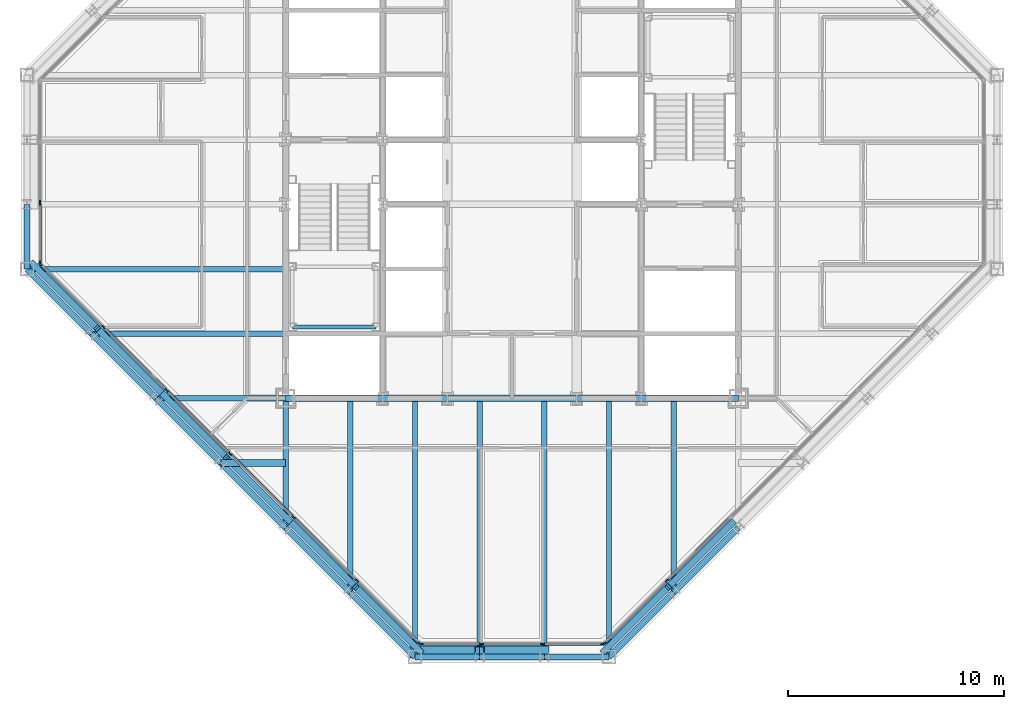
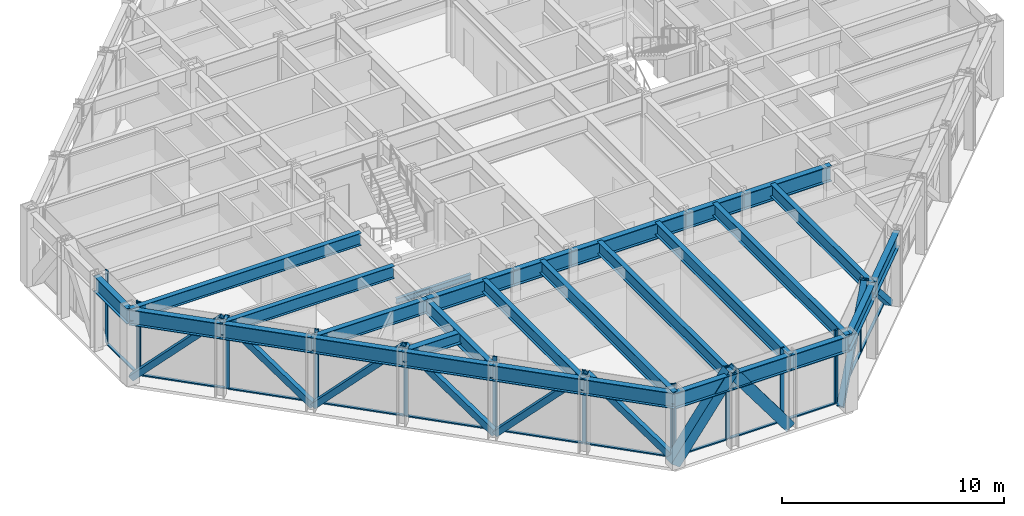
# One storey, part 5 of 15: 37 members, 29 beams, 4 elements without a shape of their own.
"""IFC4 building model written with IfcOpenShell, lengths in metres."""

from ifc_helpers import new_model, si_unit, direction, frame, origin, origin_2d, place, context, subcontext, project, spatial, rectangle, hollow_rectangle, i_section, extrude, material, layer, layer_set, material_profile, profile_set, type_object, element, aggregate, save


model = new_model("IFC4")

# Units and contexts
model_context = context("Model", 3, precision=1e-05, world=origin(), true_north=direction((0.0, 1.0)))
body_context = subcontext(model_context, "Body", "Model", "MODEL_VIEW")
ifc_project = project(units=[si_unit("LENGTHUNIT", "METRE"), si_unit("AREAUNIT", "SQUARE_METRE"), si_unit("VOLUMEUNIT", "CUBIC_METRE"), si_unit("PLANEANGLEUNIT", "RADIAN"), si_unit("MASSUNIT", "GRAM", prefix="KILO")], contexts=[model_context])

# Site, building, storey
site_placement = place(None, origin())
site = spatial("IfcSite", under=ifc_project, at=site_placement, CompositionType="ELEMENT")
building_placement = place(site_placement, origin())
building = spatial("IfcBuilding", under=site, at=building_placement, Name="Chuquiago Exchange Tower", CompositionType="ELEMENT")
storey_placement = place(building_placement, frame((0.0, 0.0, 266.39990234375)))
storey = spatial("IfcBuildingStorey", under=building, at=storey_placement, Name="L59", CompositionType="ELEMENT", Elevation=266.39990234375)

# Beams
ifc_material_1 = material(Name="Steel ASTM A992", Category="steel")
ifc_material_profile_1 = material_profile(ifc_material_1, i_section(OverallWidth=0.25390625, OverallDepth=0.683349609375, WebThickness=0.012451171875, FlangeThickness=0.018798828125, at=origin_2d()), Name="W27X94")
ifc_profile_set_1 = profile_set([ifc_material_profile_1], Name="Steel ASTM A992")
beam_type_1 = type_object("IfcBeamType", Name="B1 W27X94", PredefinedType="BEAM", material=ifc_profile_set_1)
beam_1_placement = place(storey_placement, frame((15.0, 12.0, 3.698486328125), z_axis=(0.0, -1.0, 0.0), x_axis=(1.0, 0.0, 0.0)))
element("IfcBeam", 1, at=beam_1_placement, inside=storey, type_object=beam_type_1, Name="FB-L60-infill-15_12-15_3-0", PredefinedType="BEAM", context=body_context, shape_type="SweptSolid", body=[
    extrude(i_section(OverallWidth=0.25390625, OverallDepth=0.683349609375, WebThickness=0.012451171875, FlangeThickness=0.018798828125, at=origin_2d()), origin(), (0.0, 0.0, 1.0), 9.0),
])
for number, where, z_axis, x_axis, name in (
    (2, (18.0, 12.0, 3.698486328125), (0.0, -1.0, 0.0), (1.0, 0.0, 0.0), "FB-L60-infill-18_12-18_-0-0"),
    (3, (21.0, 12.0, 3.698486328125), (0.0, -1.0, 0.0), (1.0, 0.0, 0.0), "FB-L60-infill-21_12-21_-0-0"),
    (4, (24.0, 12.0, 3.698486328125), (0.0, -1.0, 0.0), (1.0, 0.0, 0.0), "FB-L60-infill-24_12-24_-0-0"),
    (5, (27.0, 12.0, 3.698486328125), (0.0, -1.0, 0.0), (1.0, 0.0, 0.0), "FB-L60-infill-27_12-27_-0-0"),
):
    element("IfcBeam", number, at=place(storey_placement, frame(where, z_axis=z_axis, x_axis=x_axis)), inside=storey, type_object=beam_type_1, Name=name, PredefinedType="BEAM", context=body_context, shape_type="SweptSolid", body=[
        extrude(i_section(OverallWidth=0.25390625, OverallDepth=0.683349609375, WebThickness=0.012451171875, FlangeThickness=0.018798828125, at=origin_2d()), origin(), (0.0, 0.0, 1.0), 12.0),
    ])
for number, where, z_axis, x_axis, name in (
    (6, (30.0, 12.0, 3.698486328125), (0.0, -1.0, 0.0), (1.0, 0.0, 0.0), "FB-L60-infill-30_12-30_3-0"),
    (7, (12.0, 15.0, 3.698486328125), (-1.0, 0.0, 0.0), (0.0, -1.0, 0.0), "FB-L60-infill-12_15-3_15-0"),
):
    element("IfcBeam", number, at=place(storey_placement, frame(where, z_axis=z_axis, x_axis=x_axis)), inside=storey, type_object=beam_type_1, Name=name, PredefinedType="BEAM", context=body_context, shape_type="SweptSolid", body=[
        extrude(i_section(OverallWidth=0.25390625, OverallDepth=0.683349609375, WebThickness=0.012451171875, FlangeThickness=0.018798828125, at=origin_2d()), origin(), (0.0, 0.0, 1.0), 9.0),
    ])
beam_2_placement = place(storey_placement, frame((12.0, 18.0, 3.698486328125), z_axis=(-1.0, 0.0, 0.0), x_axis=(0.0, -1.0, 0.0)))
element("IfcBeam", 8, at=beam_2_placement, inside=storey, type_object=beam_type_1, Name="FB-L60-infill-12_18--0_18-0", PredefinedType="BEAM", context=body_context, shape_type="SweptSolid", body=[
    extrude(i_section(OverallWidth=0.25390625, OverallDepth=0.683349609375, WebThickness=0.012451171875, FlangeThickness=0.018798828125, at=origin_2d()), origin(), (0.0, 0.0, 1.0), 12.0),
])
ifc_material_2 = material(Name="Steel ASTM A992", Category="steel")
ifc_material_profile_2 = material_profile(ifc_material_2, i_section(OverallWidth=0.3251953125, OverallDepth=0.612060546875, WebThickness=0.0126953125, FlangeThickness=0.01904296875, at=origin_2d()), Name="W24X104")
ifc_profile_set_2 = profile_set([ifc_material_profile_2], Name="Steel ASTM A992")
beam_type_2 = type_object("IfcBeamType", Name="B2 W24X104", PredefinedType="BEAM", material=ifc_profile_set_2)
beam_3_placement = place(storey_placement, frame((12.0, 9.0, 3.73388671875), z_axis=(-1.0, 0.0, 0.0), x_axis=(0.0, -1.0, 0.0)))
element("IfcBeam", 9, at=beam_3_placement, inside=storey, type_object=beam_type_2, Name="FB-L60-corner-12_9-9_9-0", PredefinedType="BEAM", context=body_context, shape_type="SweptSolid", body=[
    extrude(i_section(OverallWidth=0.3251953125, OverallDepth=0.612060546875, WebThickness=0.0126953125, FlangeThickness=0.01904296875, at=origin_2d()), origin(), (0.0, 0.0, 1.0), 3.0),
])
ifc_material_3 = material(Name="Steel ASTM A992", Category="steel")
ifc_material_profile_3 = material_profile(ifc_material_3, i_section(OverallWidth=0.2919921875, OverallDepth=0.8583984375, WebThickness=0.01708984375, FlangeThickness=0.031005859375, at=origin_2d()), Name="W33X169")
ifc_profile_set_3 = profile_set([ifc_material_profile_3], Name="Steel ASTM A992")
beam_type_3 = type_object("IfcBeamType", Name="B3 W33X169", PredefinedType="BEAM", material=ifc_profile_set_3)
beam_4_placement = place(storey_placement, frame((12.0, 12.0, 3.61083984375), z_axis=(1.0, 0.0, 0.0), x_axis=(0.0, 1.0, 0.0)))
element("IfcBeam", 10, at=beam_4_placement, inside=storey, type_object=beam_type_3, Name="CB-L60-12_12-16.5_12", PredefinedType="BEAM", context=body_context, shape_type="SweptSolid", body=[
    extrude(i_section(OverallWidth=0.2919921875, OverallDepth=0.8583984375, WebThickness=0.01708984375, FlangeThickness=0.031005859375, at=origin_2d()), origin(), (0.0, 0.0, 1.0), 4.5),
])
beam_5_placement = place(storey_placement, frame((16.5, 12.0, 3.61083984375), z_axis=(1.0, 0.0, 0.0), x_axis=(0.0, 1.0, 0.0)))
element("IfcBeam", 11, at=beam_5_placement, inside=storey, type_object=beam_type_3, Name="CB-L60-16.5_12-19.5_12", PredefinedType="BEAM", context=body_context, shape_type="SweptSolid", body=[
    extrude(i_section(OverallWidth=0.2919921875, OverallDepth=0.8583984375, WebThickness=0.01708984375, FlangeThickness=0.031005859375, at=origin_2d()), origin(), (0.0, 0.0, 1.0), 3.0),
])
beam_6_placement = place(storey_placement, frame((19.5, 12.0, 3.61083984375), z_axis=(1.0, 0.0, 0.0), x_axis=(0.0, 1.0, 0.0)))
element("IfcBeam", 12, at=beam_6_placement, inside=storey, type_object=beam_type_3, Name="CB-L60-19.5_12-25.5_12", PredefinedType="BEAM", context=body_context, shape_type="SweptSolid", body=[
    extrude(i_section(OverallWidth=0.2919921875, OverallDepth=0.8583984375, WebThickness=0.01708984375, FlangeThickness=0.031005859375, at=origin_2d()), origin(), (0.0, 0.0, 1.0), 6.0),
])
beam_7_placement = place(storey_placement, frame((25.5, 12.0, 3.61083984375), z_axis=(1.0, 0.0, 0.0), x_axis=(0.0, 1.0, 0.0)))
element("IfcBeam", 13, at=beam_7_placement, inside=storey, type_object=beam_type_3, Name="CB-L60-25.5_12-28.5_12", PredefinedType="BEAM", context=body_context, shape_type="SweptSolid", body=[
    extrude(i_section(OverallWidth=0.2919921875, OverallDepth=0.8583984375, WebThickness=0.01708984375, FlangeThickness=0.031005859375, at=origin_2d()), origin(), (0.0, 0.0, 1.0), 3.0),
])
beam_8_placement = place(storey_placement, frame((28.5, 12.0, 3.61083984375), z_axis=(1.0, 0.0, 0.0), x_axis=(0.0, 1.0, 0.0)))
element("IfcBeam", 14, at=beam_8_placement, inside=storey, type_object=beam_type_3, Name="CB-L60-28.5_12-33_12", PredefinedType="BEAM", context=body_context, shape_type="SweptSolid", body=[
    extrude(i_section(OverallWidth=0.2919921875, OverallDepth=0.8583984375, WebThickness=0.01708984375, FlangeThickness=0.031005859375, at=origin_2d()), origin(), (0.0, 0.0, 1.0), 4.5),
])

# Curtain wall, members
ifc_material_4 = material(Name="Aluminium curtain wall system", Category="aluminium")
ifc_layer_1 = layer(ifc_material_4, 0.22509765625)
ifc_layer_set_1 = layer_set([ifc_layer_1], Name="CW2 office curtain wall")
curtain_wall_type_1 = type_object("IfcCurtainWallType", Name="CW2 office curtain wall", PredefinedType="NOTDEFINED", material=ifc_layer_set_1)
curtain_wall_1_placement = place(storey_placement, origin())
curtain_wall_1 = element("IfcCurtainWall", 15, at=curtain_wall_1_placement, inside=storey, type_object=curtain_wall_type_1, Name="CW2 curtain wall L59", PredefinedType="NOTDEFINED")
ifc_material_5 = material(Name="Aluminium mullion, pale anodised", Category="aluminium")
ifc_material_profile_4 = material_profile(ifc_material_5, rectangle(XDim=0.06494140625, YDim=0.22509765625, at=origin_2d()), Name="AL 65x225")
ifc_profile_set_4 = profile_set([ifc_material_profile_4], Name="Aluminium mullion, pale anodised")
member_type_1 = type_object("IfcMemberType", Name="CW2-M mullion 65x225", PredefinedType="MULLION", material=ifc_profile_set_4)
member_1_placement = place(storey_placement, frame((18.281005859375, 0.60009765625, 0.0), z_axis=(0.0, 0.0, 1.0), x_axis=(0.0, 1.0, 0.0)))
member_1 = element("IfcMember", 16, at=member_1_placement, type_object=member_type_1, Name="CW2 mullion 1", PredefinedType="MULLION", context=body_context, shape_type="SweptSolid", body=[
    extrude(rectangle(XDim=0.06494140625, YDim=0.22509765625, at=origin_2d()), origin(), (0.0, 0.0, 1.0), 4.0400390625),
])
member_2_placement = place(storey_placement, frame((21.082763671875, 0.60009765625, 0.0), z_axis=(0.0, 0.0, 1.0), x_axis=(0.0, 1.0, 0.0)))
member_2 = element("IfcMember", 17, at=member_2_placement, type_object=member_type_1, Name="CW2 mullion 2", PredefinedType="MULLION", context=body_context, shape_type="SweptSolid", body=[
    extrude(rectangle(XDim=0.06494140625, YDim=0.22509765625, at=origin_2d()), origin(), (0.0, 0.0, 1.0), 4.0400390625),
])
member_3_placement = place(storey_placement, frame((23.917236328125, 0.60009765625, 0.0), z_axis=(0.0, 0.0, 1.0), x_axis=(0.0, 1.0, 0.0)))
member_3 = element("IfcMember", 18, at=member_3_placement, type_object=member_type_1, Name="CW2 mullion 3", PredefinedType="MULLION", context=body_context, shape_type="SweptSolid", body=[
    extrude(rectangle(XDim=0.06494140625, YDim=0.22509765625, at=origin_2d()), origin(), (0.0, 0.0, 1.0), 4.0400390625),
])
member_4_placement = place(storey_placement, frame((26.718994140625, 0.60009765625, 0.0), z_axis=(0.0, 0.0, 1.0), x_axis=(0.0, 1.0, 0.0)))
member_4 = element("IfcMember", 19, at=member_4_placement, type_object=member_type_1, Name="CW2 mullion 4", PredefinedType="MULLION", context=body_context, shape_type="SweptSolid", body=[
    extrude(rectangle(XDim=0.06494140625, YDim=0.22509765625, at=origin_2d()), origin(), (0.0, 0.0, 1.0), 4.0400390625),
])

curtain_wall_2_placement = place(storey_placement, origin())
curtain_wall_2 = element("IfcCurtainWall", 20, at=curtain_wall_2_placement, inside=storey, type_object=curtain_wall_type_1, Name="CW2 curtain wall L59", PredefinedType="NOTDEFINED")
member_5_placement = place(storey_placement, frame((0.60009765625, 21.082763671875, 0.0), z_axis=(0.0, 0.0, 1.0), x_axis=(1.0, 0.0, 0.0)))
member_5 = element("IfcMember", 21, at=member_5_placement, type_object=member_type_1, Name="CW2 mullion 3", PredefinedType="MULLION", context=body_context, shape_type="SweptSolid", body=[
    extrude(rectangle(XDim=0.06494140625, YDim=0.22509765625, at=origin_2d()), origin(), (0.0, 0.0, 1.0), 4.0400390625),
])
member_6_placement = place(storey_placement, frame((0.60009765625, 18.281005859375, 0.0), z_axis=(0.0, 0.0, 1.0), x_axis=(1.0, 0.0, 0.0)))
member_6 = element("IfcMember", 22, at=member_6_placement, type_object=member_type_1, Name="CW2 mullion 4", PredefinedType="MULLION", context=body_context, shape_type="SweptSolid", body=[
    extrude(rectangle(XDim=0.06494140625, YDim=0.22509765625, at=origin_2d()), origin(), (0.0, 0.0, 1.0), 4.0400390625),
])

# Member
ifc_material_6 = material(Name="Aluminium transom, pale anodised", Category="aluminium")
ifc_material_profile_5 = material_profile(ifc_material_6, rectangle(XDim=0.139892578125, YDim=0.06494140625, at=origin_2d()), Name="AL 140x65")
ifc_profile_set_5 = profile_set([ifc_material_profile_5], Name="Aluminium transom, pale anodised")
member_type_2 = type_object("IfcMemberType", Name="CW2-T transom 65x140", PredefinedType="MULLION", material=ifc_profile_set_5)
member_7_placement = place(storey_placement, frame((18.3134765625, 0.60009765625, 0.03271484375), z_axis=(1.0, 0.0, 0.0), x_axis=(0.0, 1.0, 0.0)))
member_7 = element("IfcMember", 23, at=member_7_placement, type_object=member_type_2, Name="CW2 transom 1.1", PredefinedType="MULLION", context=body_context, shape_type="SweptSolid", body=[
    extrude(rectangle(XDim=0.139892578125, YDim=0.06494140625, at=origin_2d()), origin(), (0.0, 0.0, 1.0), 2.73681640625),
])

member_8_placement = place(storey_placement, frame((21.115234375, 0.60009765625, 0.03271484375), z_axis=(1.0, 0.0, 0.0), x_axis=(0.0, 1.0, 0.0)))
member_8 = element("IfcMember", 24, at=member_8_placement, type_object=member_type_2, Name="CW2 transom 2.1", PredefinedType="MULLION", context=body_context, shape_type="SweptSolid", body=[
    extrude(rectangle(XDim=0.139892578125, YDim=0.06494140625, at=origin_2d()), origin(), (0.0, 0.0, 1.0), 2.76953125),
])

member_9_placement = place(storey_placement, frame((23.94970703125, 0.60009765625, 0.03271484375), z_axis=(1.0, 0.0, 0.0), x_axis=(0.0, 1.0, 0.0)))
member_9 = element("IfcMember", 25, at=member_9_placement, type_object=member_type_2, Name="CW2 transom 3.1", PredefinedType="MULLION", context=body_context, shape_type="SweptSolid", body=[
    extrude(rectangle(XDim=0.139892578125, YDim=0.06494140625, at=origin_2d()), origin(), (0.0, 0.0, 1.0), 2.73681640625),
])

aggregate(curtain_wall_1, [member_1, member_2, member_3, member_4, member_7, member_8, member_9])

member_10_placement = place(storey_placement, frame((0.60009765625, 21.05029296875, 0.03271484375), z_axis=(0.0, -1.0, 0.0), x_axis=(1.0, 0.0, 0.0)))
member_10 = element("IfcMember", 26, at=member_10_placement, type_object=member_type_2, Name="CW2 transom 3.1", PredefinedType="MULLION", context=body_context, shape_type="SweptSolid", body=[
    extrude(rectangle(XDim=0.139892578125, YDim=0.06494140625, at=origin_2d()), origin(), (0.0, 0.0, 1.0), 2.73681640625),
])

aggregate(curtain_wall_2, [member_5, member_6, member_10])

# Curtain wall, members
ifc_material_7 = material(Name="Aluminium curtain wall system", Category="aluminium")
ifc_layer_2 = layer(ifc_material_7, 0.199951171875)
ifc_layer_set_2 = layer_set([ifc_layer_2], Name="CW3 facet curtain wall")
curtain_wall_type_2 = type_object("IfcCurtainWallType", Name="CW3 facet curtain wall", PredefinedType="NOTDEFINED", material=ifc_layer_set_2)
curtain_wall_3_placement = place(storey_placement, origin())
curtain_wall_3 = element("IfcCurtainWall", 27, at=curtain_wall_3_placement, inside=storey, type_object=curtain_wall_type_2, Name="CW3 curtain wall L59", PredefinedType="NOTDEFINED")
ifc_material_8 = material(Name="Aluminium mullion, pale anodised", Category="aluminium")
ifc_material_profile_6 = material_profile(ifc_material_8, rectangle(XDim=0.06494140625, YDim=0.199951171875, at=origin_2d()), Name="AL 65x200")
ifc_profile_set_6 = profile_set([ifc_material_profile_6], Name="Aluminium mullion, pale anodised")
member_type_3 = type_object("IfcMemberType", Name="CW3-M mullion 65x200", PredefinedType="MULLION", material=ifc_profile_set_6)
member_11_placement = place(storey_placement, frame((26.7744140625, 0.623046875, 0.0), z_axis=(0.0, 0.0, 1.0), x_axis=(-0.707106781187, 0.707106781187, 0.0)))
member_11 = element("IfcMember", 28, at=member_11_placement, type_object=member_type_3, Name="CW3 mullion 1", PredefinedType="MULLION", context=body_context, shape_type="SweptSolid", body=[
    extrude(rectangle(XDim=0.06494140625, YDim=0.199951171875, at=origin_2d()), origin(), (0.0, 0.0, 1.0), 4.0400390625),
])
member_12_placement = place(storey_placement, frame((29.69287109375, 3.54150390625, 0.0), z_axis=(0.0, 0.0, 1.0), x_axis=(-0.707106781187, 0.707106781187, 0.0)))
member_12 = element("IfcMember", 29, at=member_12_placement, type_object=member_type_3, Name="CW3 mullion 2", PredefinedType="MULLION", context=body_context, shape_type="SweptSolid", body=[
    extrude(rectangle(XDim=0.06494140625, YDim=0.199951171875, at=origin_2d()), origin(), (0.0, 0.0, 1.0), 4.0400390625),
])

curtain_wall_4_placement = place(storey_placement, origin())
curtain_wall_4 = element("IfcCurtainWall", 30, at=curtain_wall_4_placement, inside=storey, type_object=curtain_wall_type_2, Name="CW3 curtain wall L59", PredefinedType="NOTDEFINED")
member_13_placement = place(storey_placement, frame((0.623046875, 18.2255859375, 0.0), z_axis=(0.0, 0.0, 1.0), x_axis=(0.707106781187, 0.707106781187, 0.0)))
member_13 = element("IfcMember", 31, at=member_13_placement, type_object=member_type_3, Name="CW3 mullion 1", PredefinedType="MULLION", context=body_context, shape_type="SweptSolid", body=[
    extrude(rectangle(XDim=0.06494140625, YDim=0.199951171875, at=origin_2d()), origin(), (0.0, 0.0, 1.0), 4.0400390625),
])
member_14_placement = place(storey_placement, frame((3.54150390625, 15.30712890625, 0.0), z_axis=(0.0, 0.0, 1.0), x_axis=(0.707106781187, 0.707106781187, 0.0)))
member_14 = element("IfcMember", 32, at=member_14_placement, type_object=member_type_3, Name="CW3 mullion 2", PredefinedType="MULLION", context=body_context, shape_type="SweptSolid", body=[
    extrude(rectangle(XDim=0.06494140625, YDim=0.199951171875, at=origin_2d()), origin(), (0.0, 0.0, 1.0), 4.0400390625),
])
member_15_placement = place(storey_placement, frame((6.48291015625, 12.36572265625, 0.0), z_axis=(0.0, 0.0, 1.0), x_axis=(0.707106781187, 0.707106781187, 0.0)))
member_15 = element("IfcMember", 33, at=member_15_placement, type_object=member_type_3, Name="CW3 mullion 3", PredefinedType="MULLION", context=body_context, shape_type="SweptSolid", body=[
    extrude(rectangle(XDim=0.06494140625, YDim=0.199951171875, at=origin_2d()), origin(), (0.0, 0.0, 1.0), 4.0400390625),
])
member_16_placement = place(storey_placement, frame((9.42431640625, 9.42431640625, 0.0), z_axis=(0.0, 0.0, 1.0), x_axis=(0.707106781187, 0.707106781187, 0.0)))
member_16 = element("IfcMember", 34, at=member_16_placement, type_object=member_type_3, Name="CW3 mullion 4", PredefinedType="MULLION", context=body_context, shape_type="SweptSolid", body=[
    extrude(rectangle(XDim=0.06494140625, YDim=0.199951171875, at=origin_2d()), origin(), (0.0, 0.0, 1.0), 4.0400390625),
])
member_17_placement = place(storey_placement, frame((12.36572265625, 6.48291015625, 0.0), z_axis=(0.0, 0.0, 1.0), x_axis=(0.707106781187, 0.707106781187, 0.0)))
member_17 = element("IfcMember", 35, at=member_17_placement, type_object=member_type_3, Name="CW3 mullion 5", PredefinedType="MULLION", context=body_context, shape_type="SweptSolid", body=[
    extrude(rectangle(XDim=0.06494140625, YDim=0.199951171875, at=origin_2d()), origin(), (0.0, 0.0, 1.0), 4.0400390625),
])
member_18_placement = place(storey_placement, frame((15.30712890625, 3.54150390625, 0.0), z_axis=(0.0, 0.0, 1.0), x_axis=(0.707106781187, 0.707106781187, 0.0)))
member_18 = element("IfcMember", 36, at=member_18_placement, type_object=member_type_3, Name="CW3 mullion 6", PredefinedType="MULLION", context=body_context, shape_type="SweptSolid", body=[
    extrude(rectangle(XDim=0.06494140625, YDim=0.199951171875, at=origin_2d()), origin(), (0.0, 0.0, 1.0), 4.0400390625),
])
member_19_placement = place(storey_placement, frame((18.2255859375, 0.623046875, 0.0), z_axis=(0.0, 0.0, 1.0), x_axis=(0.707106781187, 0.707106781187, 0.0)))
member_19 = element("IfcMember", 37, at=member_19_placement, type_object=member_type_3, Name="CW3 mullion 7", PredefinedType="MULLION", context=body_context, shape_type="SweptSolid", body=[
    extrude(rectangle(XDim=0.06494140625, YDim=0.199951171875, at=origin_2d()), origin(), (0.0, 0.0, 1.0), 4.0400390625),
])

# Member
ifc_material_9 = material(Name="Aluminium transom, pale anodised", Category="aluminium")
ifc_material_profile_7 = material_profile(ifc_material_9, rectangle(XDim=0.139892578125, YDim=0.06494140625, at=origin_2d()), Name="AL 140x65")
ifc_profile_set_7 = profile_set([ifc_material_profile_7], Name="Aluminium transom, pale anodised")
member_type_4 = type_object("IfcMemberType", Name="CW3-T transom 65x140", PredefinedType="MULLION", material=ifc_profile_set_7)
member_20_placement = place(storey_placement, frame((26.79736328125, 0.64599609375, 0.03271484375), z_axis=(0.707106781187, 0.707106781187, 0.0), x_axis=(-0.707106781187, 0.707106781187, 0.0)))
member_20 = element("IfcMember", 38, at=member_20_placement, type_object=member_type_4, Name="CW3 transom 1.1", PredefinedType="MULLION", context=body_context, shape_type="SweptSolid", body=[
    extrude(rectangle(XDim=0.139892578125, YDim=0.06494140625, at=origin_2d()), origin(), (0.0, 0.0, 1.0), 4.0625),
])

member_21_placement = place(storey_placement, frame((29.7158203125, 3.564453125, 0.03271484375), z_axis=(0.707106781187, 0.707106781187, 0.0), x_axis=(-0.707106781187, 0.707106781187, 0.0)))
member_21 = element("IfcMember", 39, at=member_21_placement, type_object=member_type_4, Name="CW3 transom 2.1", PredefinedType="MULLION", context=body_context, shape_type="SweptSolid", body=[
    extrude(rectangle(XDim=0.139892578125, YDim=0.06494140625, at=origin_2d()), origin(), (0.0, 0.0, 1.0), 4.094970703125),
])

aggregate(curtain_wall_3, [member_11, member_12, member_20, member_21])

member_22_placement = place(storey_placement, frame((0.64599609375, 18.20263671875, 0.03271484375), z_axis=(0.707106781187, -0.707106781187, 0.0), x_axis=(0.707106781187, 0.707106781187, 0.0)))
member_22 = element("IfcMember", 40, at=member_22_placement, type_object=member_type_4, Name="CW3 transom 1.1", PredefinedType="MULLION", context=body_context, shape_type="SweptSolid", body=[
    extrude(rectangle(XDim=0.139892578125, YDim=0.06494140625, at=origin_2d()), origin(), (0.0, 0.0, 1.0), 4.0625),
])

member_23_placement = place(storey_placement, frame((3.564453125, 15.2841796875, 0.03271484375), z_axis=(0.707106781187, -0.707106781187, 0.0), x_axis=(0.707106781187, 0.707106781187, 0.0)))
member_23 = element("IfcMember", 41, at=member_23_placement, type_object=member_type_4, Name="CW3 transom 2.1", PredefinedType="MULLION", context=body_context, shape_type="SweptSolid", body=[
    extrude(rectangle(XDim=0.139892578125, YDim=0.06494140625, at=origin_2d()), origin(), (0.0, 0.0, 1.0), 4.094970703125),
])

member_24_placement = place(storey_placement, frame((6.505859375, 12.3427734375, 0.03271484375), z_axis=(0.707106781187, -0.707106781187, 0.0), x_axis=(0.707106781187, 0.707106781187, 0.0)))
member_24 = element("IfcMember", 42, at=member_24_placement, type_object=member_type_4, Name="CW3 transom 3.1", PredefinedType="MULLION", context=body_context, shape_type="SweptSolid", body=[
    extrude(rectangle(XDim=0.139892578125, YDim=0.06494140625, at=origin_2d()), origin(), (0.0, 0.0, 1.0), 4.094970703125),
])

member_25_placement = place(storey_placement, frame((9.447265625, 9.4013671875, 0.03271484375), z_axis=(0.707106781187, -0.707106781187, 0.0), x_axis=(0.707106781187, 0.707106781187, 0.0)))
member_25 = element("IfcMember", 43, at=member_25_placement, type_object=member_type_4, Name="CW3 transom 4.1", PredefinedType="MULLION", context=body_context, shape_type="SweptSolid", body=[
    extrude(rectangle(XDim=0.139892578125, YDim=0.06494140625, at=origin_2d()), origin(), (0.0, 0.0, 1.0), 4.094970703125),
])

member_26_placement = place(storey_placement, frame((12.388671875, 6.4599609375, 0.03271484375), z_axis=(0.707106781187, -0.707106781187, 0.0), x_axis=(0.707106781187, 0.707106781187, 0.0)))
member_26 = element("IfcMember", 44, at=member_26_placement, type_object=member_type_4, Name="CW3 transom 5.1", PredefinedType="MULLION", context=body_context, shape_type="SweptSolid", body=[
    extrude(rectangle(XDim=0.139892578125, YDim=0.06494140625, at=origin_2d()), origin(), (0.0, 0.0, 1.0), 4.094970703125),
])

member_27_placement = place(storey_placement, frame((15.330078125, 3.5185546875, 0.03271484375), z_axis=(0.707106781187, -0.707106781187, 0.0), x_axis=(0.707106781187, 0.707106781187, 0.0)))
member_27 = element("IfcMember", 45, at=member_27_placement, type_object=member_type_4, Name="CW3 transom 6.1", PredefinedType="MULLION", context=body_context, shape_type="SweptSolid", body=[
    extrude(rectangle(XDim=0.139892578125, YDim=0.06494140625, at=origin_2d()), origin(), (0.0, 0.0, 1.0), 4.0625),
])

aggregate(curtain_wall_4, [member_13, member_14, member_15, member_16, member_17, member_18, member_19, member_22, member_23, member_24, member_25, member_26, member_27])

# Beams
ifc_material_10 = material(Name="Steel ASTM A992", Category="steel")
ifc_material_profile_8 = material_profile(ifc_material_10, i_section(OverallWidth=0.2666015625, OverallDepth=0.76953125, WebThickness=0.015625, FlangeThickness=0.025390625, at=origin_2d()), Name="W30X132")
ifc_profile_set_8 = profile_set([ifc_material_profile_8], Name="Steel ASTM A992")
beam_type_4 = type_object("IfcBeamType", Name="G1 W30X132", PredefinedType="BEAM", material=ifc_profile_set_8)
for number, where, z_axis, x_axis, name in (
    (46, (12.0, 12.0, 3.6552734375), (0.0, -1.0, 0.0), (1.0, 0.0, 0.0), "FB-L60-girder-12_12-12_6-0"),
    (47, (12.0, 12.0, 3.6552734375), (-1.0, 0.0, 0.0), (0.0, -1.0, 0.0), "FB-L60-girder-12_12-6_12-0"),
):
    element("IfcBeam", number, at=place(storey_placement, frame(where, z_axis=z_axis, x_axis=x_axis)), inside=storey, type_object=beam_type_4, Name=name, PredefinedType="BEAM", context=body_context, shape_type="SweptSolid", body=[
        extrude(i_section(OverallWidth=0.2666015625, OverallDepth=0.76953125, WebThickness=0.015625, FlangeThickness=0.025390625, at=origin_2d()), origin(), (0.0, 0.0, 1.0), 6.0),
    ])

# Members
ifc_material_11 = material(Name="Steel ASTM A500 Grade C", Category="steel")
ifc_material_profile_9 = material_profile(ifc_material_11, hollow_rectangle(XDim=0.3046875, YDim=0.3046875, WallThickness=0.0146484375, at=origin_2d()), Name="HSS12X12X5/8")
ifc_profile_set_9 = profile_set([ifc_material_profile_9], Name="Steel ASTM A500 Grade C")
member_type_5 = type_object("IfcMemberType", Name="LB3 HSS12X12X5/8", PredefinedType="BRACE", material=ifc_profile_set_9)
for number, where, z_axis, x_axis, name in (
    (48, (26.750732421875, 0.249267578125, 0.0), (0.512077265487, 0.512077265487, 0.689604051861), (-0.707106781187, 0.707106781187, 0.0), "LB-L59-27_0-30_3"),
    (49, (32.750732421875, 6.249267578125, 0.0), (-0.512077265487, -0.512077265487, 0.689604051861), (0.707106781187, -0.707106781187, 0.0), "LB-L59-30_3-33_6"),
    (50, (0.249267578125, 18.249267578125, 0.0), (0.512077265487, -0.512077265487, 0.689604051861), (0.707106781187, 0.707106781187, 0.0), "LB-L59-0_18-3_15"),
    (51, (6.249267578125, 12.249267578125, 0.0), (-0.512077265487, 0.512077265487, 0.689604051861), (-0.707106781187, -0.707106781187, 0.0), "LB-L59-3_15-6_12"),
    (52, (6.249267578125, 12.249267578125, 0.0), (0.512077265487, -0.512077265487, 0.689604051861), (0.707106781187, 0.707106781187, 0.0), "LB-L59-6_12-9_9"),
    (53, (12.249267578125, 6.249267578125, 0.0), (-0.512077265487, 0.512077265487, 0.689604051861), (-0.707106781187, -0.707106781187, 0.0), "LB-L59-9_9-12_6"),
    (54, (12.249267578125, 6.249267578125, 0.0), (0.512077265487, -0.512077265487, 0.689604051861), (0.707106781187, 0.707106781187, 0.0), "LB-L59-12_6-15_3"),
    (55, (18.249267578125, 0.249267578125, 0.0), (-0.512077265487, 0.512077265487, 0.689604051861), (-0.707106781187, -0.707106781187, 0.0), "LB-L59-15_3-18_0"),
):
    element("IfcMember", number, at=place(storey_placement, frame(where, z_axis=z_axis, x_axis=x_axis)), inside=storey, type_object=member_type_5, Name=name, PredefinedType="BRACE", context=body_context, shape_type="SweptSolid", body=[
        extrude(hollow_rectangle(XDim=0.3046875, YDim=0.3046875, WallThickness=0.0146484375, at=origin_2d()), origin(), (0.0, 0.0, 1.0), 5.8583984375),
    ])

# Beam
ifc_material_12 = material(Name="Steel ASTM A992", Category="steel")
ifc_material_profile_10 = material_profile(ifc_material_12, i_section(OverallWidth=0.164794921875, OverallDepth=0.309814453125, WebThickness=0.005859375, FlangeThickness=0.009765625, at=origin_2d()), Name="W12X26")
ifc_profile_set_10 = profile_set([ifc_material_profile_10], Name="Steel ASTM A992")
beam_type_5 = type_object("IfcBeamType", Name="LT1 W12X26", PredefinedType="BEAM", material=ifc_profile_set_10)
beam_9_placement = place(storey_placement, frame((12.31005859375, 15.31005859375, 1.7451171875), z_axis=(1.0, 0.0, 0.0), x_axis=(0.0, 1.0, 0.0)))
element("IfcBeam", 56, at=beam_9_placement, inside=storey, type_object=beam_type_5, Name="Stair ST1 L59 landing 1 trimmer", PredefinedType="BEAM", context=body_context, shape_type="SweptSolid", body=[
    extrude(i_section(OverallWidth=0.164794921875, OverallDepth=0.309814453125, WebThickness=0.005859375, FlangeThickness=0.009765625, at=origin_2d()), origin(), (0.0, 0.0, 1.0), 3.8798828125),
])

# Members
ifc_material_13 = material(Name="Steel ASTM A572 Grade 50", Category="steel")
ifc_material_profile_11 = material_profile(ifc_material_13, hollow_rectangle(XDim=0.550048828125, YDim=0.550048828125, WallThickness=0.044921875, at=origin_2d()), Name="BOX550X550X45")
ifc_profile_set_11 = profile_set([ifc_material_profile_11], Name="Steel ASTM A572 Grade 50")
member_type_6 = type_object("IfcMemberType", Name="MB4 BOX550X550X45", PredefinedType="BRACE", material=ifc_profile_set_11)
for number, where, z_axis, x_axis, name in (
    (57, (18.0, 0.22998046875, 0.0), (0.596173923302, 0.0, 0.802855312728), (0.0, 1.0, 0.0), "Mega diagonal L59 S face"),
    (58, (24.0, 0.22998046875, 0.0), (-0.596173923302, 0.0, 0.802855312728), (0.0, -1.0, 0.0), "Mega diagonal L59 S face"),
):
    element("IfcMember", number, at=place(storey_placement, frame(where, z_axis=z_axis, x_axis=x_axis)), inside=storey, type_object=member_type_6, Name=name, PredefinedType="BRACE", context=body_context, shape_type="SweptSolid", body=[
        extrude(hollow_rectangle(XDim=0.550048828125, YDim=0.550048828125, WallThickness=0.044921875, at=origin_2d()), origin(), (0.0, 0.0, 1.0), 5.031982421875),
    ])

# Beams
ifc_material_14 = material(Name="Steel ASTM A992", Category="steel")
ifc_material_profile_12 = material_profile(ifc_material_14, i_section(OverallWidth=0.2919921875, OverallDepth=0.8583984375, WebThickness=0.01708984375, FlangeThickness=0.031005859375, at=origin_2d()), Name="W33X169")
ifc_profile_set_12 = profile_set([ifc_material_profile_12], Name="Steel ASTM A992")
beam_type_6 = type_object("IfcBeamType", Name="SP4 W33X169", PredefinedType="SPANDREL", material=ifc_profile_set_12)
for number, where, z_axis, x_axis, name in (
    (59, (18.0, 0.0, 3.61083984375), (1.0, 0.0, 0.0), (0.0, 1.0, 0.0), "SPB-L60-18_0-21_0"),
    (60, (21.0, 0.0, 3.61083984375), (1.0, 0.0, 0.0), (0.0, 1.0, 0.0), "SPB-L60-21_0-24_0"),
    (61, (24.0, 0.0, 3.61083984375), (1.0, 0.0, 0.0), (0.0, 1.0, 0.0), "SPB-L60-24_0-27_0"),
):
    element("IfcBeam", number, at=place(storey_placement, frame(where, z_axis=z_axis, x_axis=x_axis)), inside=storey, type_object=beam_type_6, Name=name, PredefinedType="SPANDREL", context=body_context, shape_type="SweptSolid", body=[
        extrude(i_section(OverallWidth=0.2919921875, OverallDepth=0.8583984375, WebThickness=0.01708984375, FlangeThickness=0.031005859375, at=origin_2d()), origin(), (0.0, 0.0, 1.0), 3.0),
    ])
for number, where, z_axis, x_axis, name in (
    (62, (27.0, 0.0, 3.61083984375), (0.707106781187, 0.707106781187, 0.0), (-0.707106781187, 0.707106781187, 0.0), "SPB-L60-27_0-30_3"),
    (63, (30.0, 3.0, 3.61083984375), (0.707106781187, 0.707106781187, 0.0), (-0.707106781187, 0.707106781187, 0.0), "SPB-L60-30_3-33_6"),
):
    element("IfcBeam", number, at=place(storey_placement, frame(where, z_axis=z_axis, x_axis=x_axis)), inside=storey, type_object=beam_type_6, Name=name, PredefinedType="SPANDREL", context=body_context, shape_type="SweptSolid", body=[
        extrude(i_section(OverallWidth=0.2919921875, OverallDepth=0.8583984375, WebThickness=0.01708984375, FlangeThickness=0.031005859375, at=origin_2d()), origin(), (0.0, 0.0, 1.0), 4.24267578125),
    ])
beam_10_placement = place(storey_placement, frame((0.0, 21.0, 3.61083984375), z_axis=(0.0, -1.0, 0.0), x_axis=(1.0, 0.0, 0.0)))
element("IfcBeam", 64, at=beam_10_placement, inside=storey, type_object=beam_type_6, Name="SPB-L60-0_21-0_18", PredefinedType="SPANDREL", context=body_context, shape_type="SweptSolid", body=[
    extrude(i_section(OverallWidth=0.2919921875, OverallDepth=0.8583984375, WebThickness=0.01708984375, FlangeThickness=0.031005859375, at=origin_2d()), origin(), (0.0, 0.0, 1.0), 3.0),
])
for number, where, z_axis, x_axis, name in (
    (65, (0.0, 18.0, 3.61083984375), (0.707106781187, -0.707106781187, 0.0), (0.707106781187, 0.707106781187, 0.0), "SPB-L60-0_18-3_15"),
    (66, (3.0, 15.0, 3.61083984375), (0.707106781187, -0.707106781187, 0.0), (0.707106781187, 0.707106781187, 0.0), "SPB-L60-3_15-6_12"),
    (67, (6.0, 12.0, 3.61083984375), (0.707106781187, -0.707106781187, 0.0), (0.707106781187, 0.707106781187, 0.0), "SPB-L60-6_12-9_9"),
    (68, (9.0, 9.0, 3.61083984375), (0.707106781187, -0.707106781187, 0.0), (0.707106781187, 0.707106781187, 0.0), "SPB-L60-9_9-12_6"),
    (69, (12.0, 6.0, 3.61083984375), (0.707106781187, -0.707106781187, 0.0), (0.707106781187, 0.707106781187, 0.0), "SPB-L60-12_6-15_3"),
    (70, (15.0, 3.0, 3.61083984375), (0.707106781187, -0.707106781187, 0.0), (0.707106781187, 0.707106781187, 0.0), "SPB-L60-15_3-18_0"),
):
    element("IfcBeam", number, at=place(storey_placement, frame(where, z_axis=z_axis, x_axis=x_axis)), inside=storey, type_object=beam_type_6, Name=name, PredefinedType="SPANDREL", context=body_context, shape_type="SweptSolid", body=[
        extrude(i_section(OverallWidth=0.2919921875, OverallDepth=0.8583984375, WebThickness=0.01708984375, FlangeThickness=0.031005859375, at=origin_2d()), origin(), (0.0, 0.0, 1.0), 4.24267578125),
    ])

save(model, "model.ifc")
